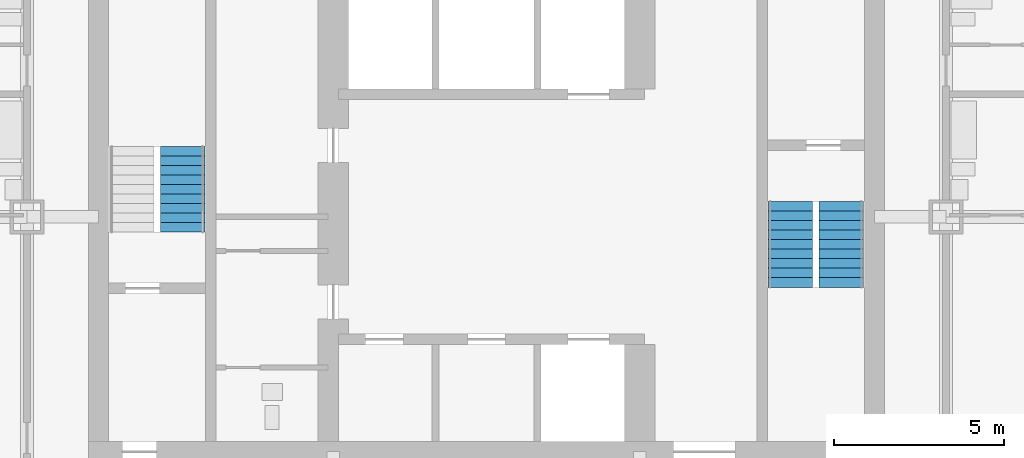
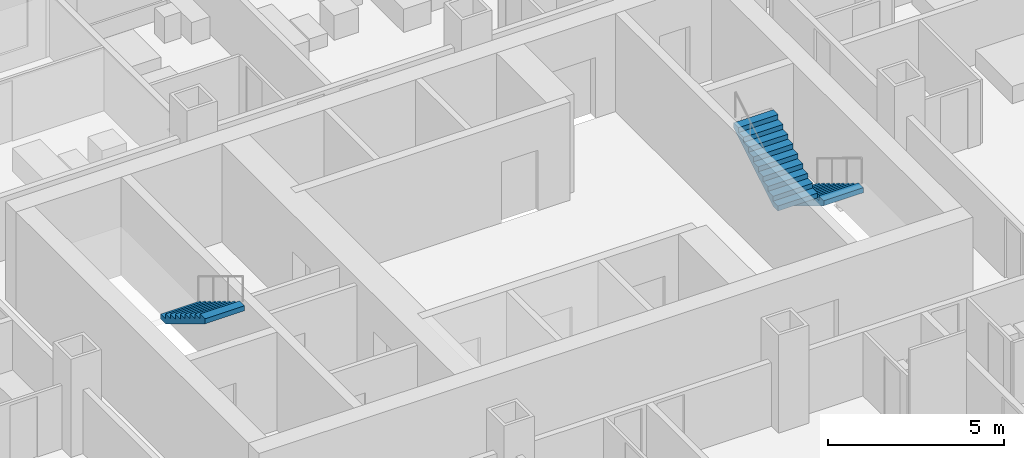
# One storey, part 14 of 17: 3 stair flights, 2 elements without a shape of their own.
"""IFC4 building model written with IfcOpenShell, lengths in metres."""

import ifcopenshell
import ifcopenshell.guid

model = None  # the IFC model being written
_history = None  # IfcOwnerHistory: only IFC2X3 demands one
_inside = {}  # id of a spatial element -> (the spatial element, [elements in it])
_under = {}  # id of a project, library or spatial element -> (it, [spatial elements below it])
_declared = {}  # id of a project -> (the project, [libraries it declares])
_typed = {}  # id of a type object -> (the type object, [elements of that type])
_made_of = {}  # id of a material, layer set ... -> (it, [elements and type objects made of it])


def new_model(schema):
    """Start an empty IFC model of exactly this schema.

    Asked for "IFC4X3", IfcOpenShell would pick the latest addendum, in which some entities
    have other attributes; the version numbers below select the first issue.
    IFC2X3 requires an IfcOwnerHistory on every rooted entity: one is made here for all.
    """
    global model, _history
    if schema == "IFC4X3":
        model = ifcopenshell.file(schema_version=(4, 3, 0, 0))
    else:
        model = ifcopenshell.file(schema=schema)
    _inside.clear()
    _under.clear()
    _declared.clear()
    _typed.clear()
    _made_of.clear()
    _history = None
    if model.schema == "IFC2X3":
        org = make("IfcOrganization", Name="unknown")
        user = make(
            "IfcPersonAndOrganization",
            ThePerson=make("IfcPerson", FamilyName="unknown"),
            TheOrganization=org,
        )
        app = make(
            "IfcApplication",
            ApplicationDeveloper=org,
            Version="unknown",
            ApplicationFullName="unknown",
            ApplicationIdentifier="unknown",
        )
        _history = make(
            "IfcOwnerHistory",
            OwningUser=user,
            OwningApplication=app,
            ChangeAction="ADDED",
            CreationDate=0,
        )
    return model


def make(cls, **values):
    """One entity of the class cls with the attributes given. An attribute that is None is left unset."""
    return model.create_entity(
        cls, **{name: value for name, value in values.items() if value is not None}
    )


def rooted(cls, **values):
    """An entity with a GlobalId (a new one), such as an element, a storey or a relation."""
    return make(cls, GlobalId=ifcopenshell.guid.new(), OwnerHistory=_history, **values)


def si_unit(unit_type, name, prefix=None):
    """IfcSIUnit, for example si_unit("LENGTHUNIT", "METRE", prefix="MILLI")."""
    return make("IfcSIUnit", UnitType=unit_type, Prefix=prefix, Name=name)


def assignment(units):
    """IfcUnitAssignment: the units of a project."""
    return None if units is None else make("IfcUnitAssignment", Units=units)


def point(xyz):
    """IfcCartesianPoint."""
    return None if xyz is None else make("IfcCartesianPoint", Coordinates=xyz)


def direction(xyz):
    """IfcDirection."""
    return None if xyz is None else make("IfcDirection", DirectionRatios=xyz)


def frame(location, z_axis=None, x_axis=None):
    """IfcAxis2Placement3D, a coordinate frame: its origin and axes. An axis left out is left unset."""
    return make(
        "IfcAxis2Placement3D",
        Location=point(location),
        Axis=direction(z_axis),
        RefDirection=direction(x_axis),
    )


def origin():
    """The frame at (0, 0, 0) with its axes left unset."""
    return frame((0.0, 0.0, 0.0))


def place(relative_to, where):
    """IfcLocalPlacement: puts the frame where relative to a parent placement (None: the world)."""
    return make(
        "IfcLocalPlacement", PlacementRelTo=relative_to, RelativePlacement=where
    )


def context(
    kind, dimensions, precision=None, world=None, true_north=None, identifier=None
):
    """IfcGeometricRepresentationContext, for example the 3D "Model" context."""
    return make(
        "IfcGeometricRepresentationContext",
        ContextIdentifier=identifier,
        ContextType=kind,
        CoordinateSpaceDimension=dimensions,
        Precision=precision,
        WorldCoordinateSystem=world,
        TrueNorth=true_north,
    )


def subcontext(parent, identifier, kind, view, scale=None):
    """IfcGeometricRepresentationSubContext, for example "Body" below "Model"."""
    return make(
        "IfcGeometricRepresentationSubContext",
        ContextIdentifier=identifier,
        ContextType=kind,
        ParentContext=parent,
        TargetScale=scale,
        TargetView=view,
    )


def project(units=None, contexts=None):
    """IfcProject with its units and contexts."""
    return rooted(
        "IfcProject",
        Name="project",
        RepresentationContexts=contexts,
        UnitsInContext=assignment(units),
    )


def spatial(cls, under=None, at=None, **own):
    """A site, building, storey or space (cls), placed at a placement, below another one or the project."""
    s = rooted(cls, ObjectPlacement=at, **own)
    if under is not None:
        _under.setdefault(under.id(), (under, []))[1].append(s)
    return s


def polyline(points):
    """IfcPolyline through the points."""
    return make("IfcPolyline", Points=[point(p) for p in points])


def outline(outer, holes=None, kind="AREA"):
    """IfcArbitraryClosedProfileDef: a profile drawn as a closed curve; with holes, ...WithVoids."""
    if holes is None:
        return make("IfcArbitraryClosedProfileDef", ProfileType=kind, OuterCurve=outer)
    return make(
        "IfcArbitraryProfileDefWithVoids",
        ProfileType=kind,
        OuterCurve=outer,
        InnerCurves=holes,
    )


def extrude(swept, where, along, depth):
    """IfcExtrudedAreaSolid: the profile swept, set in the frame where, extruded along a direction by depth."""
    return make(
        "IfcExtrudedAreaSolid",
        SweptArea=swept,
        Position=where,
        ExtrudedDirection=direction(along),
        Depth=depth,
    )


def shape(context_of_items, identifier, shape_type, items):
    """IfcShapeRepresentation: the items that make up one representation, for example the "Body"."""
    return make(
        "IfcShapeRepresentation",
        ContextOfItems=context_of_items,
        RepresentationIdentifier=identifier,
        RepresentationType=shape_type,
        Items=items,
    )


def material(Name=None, Category=None):
    """IfcMaterial."""
    return make("IfcMaterial", Name=Name, Category=Category)


def made_of(thing, what):
    """Note that an element or type object is made of a material, layer set ...; save() writes the relation."""
    if what is not None:
        _made_of.setdefault(what.id(), (what, []))[1].append(thing)
    return thing


def type_object(cls, material=None, **own):
    """A type object (cls), such as IfcWallType, which elements share."""
    return made_of(rooted(cls, **own), material)


def element(
    cls,
    number,
    at=None,
    inside=None,
    cuts=None,
    type_object=None,
    material=None,
    context=None,
    identifier="Body",
    shape_type=None,
    held_by="IfcProductDefinitionShape",
    body=None,
    shapes=None,
    **own,
):
    """One element of the class cls, such as IfcWall. Its Tag is "e" and its number.

    at: its placement. inside: the storey or other place that contains it. cuts: it is an
    opening in that element (IfcRelVoidsElement). A single representation is given by context,
    identifier, shape_type and body (its items); several are given by shapes. held_by: the class
    of the entity that holds the representations. save() writes the other relations.
    """
    e = rooted(cls, Tag="e%d" % number, ObjectPlacement=at, **own)
    if body is not None:
        shapes = [shape(context, identifier, shape_type, body)]
    if shapes is not None:
        e.Representation = make(held_by, Representations=shapes)
    if inside is not None:
        _inside.setdefault(inside.id(), (inside, []))[1].append(e)
    if cuts is not None:
        rooted(
            "IfcRelVoidsElement", RelatingBuildingElement=cuts, RelatedOpeningElement=e
        )
    if type_object is not None:
        _typed.setdefault(type_object.id(), (type_object, []))[1].append(e)
    return made_of(e, material)


def aggregate(whole, parts):
    """IfcRelAggregates: a whole, such as a stair, and the parts it consists of."""
    return rooted("IfcRelAggregates", RelatingObject=whole, RelatedObjects=parts)


def save(model, path):
    """Write the relations noted so far, then the file.

    IfcRelAggregates (storeys below a building ...), IfcRelContainedInSpatialStructure (elements
    in a storey), IfcRelDefinesByType, IfcRelAssociatesMaterial and IfcRelDeclares: one each for
    every whole, place, type object, material and project.
    """
    for whole, parts in _under.values():
        aggregate(whole, parts)
    for where, things in _inside.values():
        rooted(
            "IfcRelContainedInSpatialStructure",
            RelatedElements=things,
            RelatingStructure=where,
        )
    for kind, things in _typed.values():
        rooted("IfcRelDefinesByType", RelatedObjects=things, RelatingType=kind)
    for what, things in _made_of.values():
        rooted("IfcRelAssociatesMaterial", RelatedObjects=things, RelatingMaterial=what)
    for by, libraries in _declared.values():
        rooted("IfcRelDeclares", RelatingContext=by, RelatedDefinitions=libraries)
    model.write(path)


model = new_model("IFC4")

# Units and contexts
model_context = context("Model", 3, precision=1e-05, world=origin(), true_north=direction((0.0, 1.0)))
body_context = subcontext(model_context, "Body", "Model", "MODEL_VIEW")
ifc_project = project(units=[si_unit("LENGTHUNIT", "METRE"), si_unit("AREAUNIT", "SQUARE_METRE"), si_unit("VOLUMEUNIT", "CUBIC_METRE"), si_unit("PLANEANGLEUNIT", "RADIAN"), si_unit("MASSUNIT", "GRAM", prefix="KILO")], contexts=[model_context])

# Site, building, storey
site_placement = place(None, origin())
site = spatial("IfcSite", under=ifc_project, at=site_placement, CompositionType="ELEMENT")
building_placement = place(site_placement, origin())
building = spatial("IfcBuilding", under=site, at=building_placement, Name="Loomwork Tower", CompositionType="ELEMENT")
storey_placement = place(building_placement, frame((0.0, 0.0, 152.0)))
storey = spatial("IfcBuildingStorey", under=building, at=storey_placement, Name="L41", CompositionType="ELEMENT", Elevation=152.0)

# Stair, stair flight
ifc_material_1 = material(Name="Concrete 5000 psi (34 MPa) precast stair", Category="concrete")
stair_type_1 = type_object("IfcStairType", Name="Stair ST-A 20 risers 2850 wide", PredefinedType="HALF_TURN_STAIR", material=ifc_material_1)
stair_1_placement = place(storey_placement, origin())
stair_1 = element("IfcStair", 1, at=stair_1_placement, inside=storey, type_object=stair_type_1, Name="Stair A L41", PredefinedType="HALF_TURN_STAIR")
ifc_material_2 = material(Name="Concrete 5000 psi (34 MPa) precast stair", Category="concrete")
stair_flight_type_1 = type_object("IfcStairFlightType", Name="Stair flight ST-A 10 risers 1300 wide", PredefinedType="STRAIGHT", material=ifc_material_2)
stair_flight_1_placement = place(storey_placement, frame((13.574951171875, 20.070068359375, 1.699951171875), z_axis=(0.0, 0.0, 1.0), x_axis=(0.0, -1.0, 0.0)))
stair_flight_1 = element("IfcStairFlight", 2, at=stair_flight_1_placement, type_object=stair_flight_type_1, Name="ST-A flight 2", NumberOfRisers=10, NumberOfTreads=9, PredefinedType="STRAIGHT", RiserHeight=0.17, TreadLength=0.28, context=body_context, shape_type="SweptSolid", body=[
    extrude(outline(polyline([(0.0, 0.0), (0.0, 0.169921875), (0.280029296875, 0.169921875), (0.280029296875, 0.340087890625), (0.56005859375, 0.340087890625), (0.56005859375, 0.510009765625), (0.840087890625, 0.510009765625), (0.840087890625, 0.679931640625), (1.1201171875, 0.679931640625), (1.1201171875, 0.85009765625), (1.39990234375, 0.85009765625), (1.39990234375, 1.02001953125), (1.679931640625, 1.02001953125), (1.679931640625, 1.18994140625), (1.9599609375, 1.18994140625), (1.9599609375, 1.360107421875), (2.239990234375, 1.360107421875), (2.239990234375, 1.530029296875), (2.52001953125, 1.530029296875), (2.52001953125, 1.699951171875), (2.52001953125, 1.354736328125), (0.288818359375, 0.0), (0.0, 0.0)])), frame((0.0, 0.64990234375, 0.0), z_axis=(0.0, -1.0, 0.0), x_axis=(1.0, 0.0, 0.0)), (0.0, 0.0, 1.0), 1.300048828125),
])
aggregate(stair_1, [stair_flight_1])

# Stair, stair flights
ifc_material_3 = material(Name="Concrete 5000 psi (34 MPa) precast stair", Category="concrete")
stair_type_2 = type_object("IfcStairType", Name="Stair ST-B 20 risers 2850 wide", PredefinedType="HALF_TURN_STAIR", material=ifc_material_3)
stair_2_placement = place(storey_placement, origin())
stair_2 = element("IfcStair", 3, at=stair_2_placement, inside=storey, type_object=stair_type_2, Name="Stair B L41", PredefinedType="HALF_TURN_STAIR")
ifc_material_4 = material(Name="Concrete 5000 psi (34 MPa) precast stair", Category="concrete")
stair_flight_type_2 = type_object("IfcStairFlightType", Name="Stair flight ST-B 10 risers 1300 wide", PredefinedType="STRAIGHT", material=ifc_material_4)
stair_flight_2_placement = place(storey_placement, frame((32.925048828125, 18.449951171875, 0.0), z_axis=(0.0, 0.0, 1.0), x_axis=(0.0, -1.0, 0.0)))
stair_flight_2 = element("IfcStairFlight", 4, at=stair_flight_2_placement, type_object=stair_flight_type_2, Name="ST-B flight 1", NumberOfRisers=10, NumberOfTreads=9, PredefinedType="STRAIGHT", RiserHeight=0.17, TreadLength=0.28, context=body_context, shape_type="SweptSolid", body=[
    extrude(outline(polyline([(0.0, 0.0), (0.0, 0.169921875), (0.280029296875, 0.169921875), (0.280029296875, 0.340087890625), (0.56005859375, 0.340087890625), (0.56005859375, 0.510009765625), (0.840087890625, 0.510009765625), (0.840087890625, 0.679931640625), (1.1201171875, 0.679931640625), (1.1201171875, 0.85009765625), (1.39990234375, 0.85009765625), (1.39990234375, 1.02001953125), (1.679931640625, 1.02001953125), (1.679931640625, 1.18994140625), (1.9599609375, 1.18994140625), (1.9599609375, 1.360107421875), (2.239990234375, 1.360107421875), (2.239990234375, 1.530029296875), (2.52001953125, 1.530029296875), (2.52001953125, 1.699951171875), (2.52001953125, 1.354736328125), (0.288818359375, 0.0), (0.0, 0.0)])), frame((0.0, 0.64990234375, 0.0), z_axis=(0.0, -1.0, 0.0), x_axis=(1.0, 0.0, 0.0)), (0.0, 0.0, 1.0), 1.300048828125),
])
stair_flight_3_placement = place(storey_placement, frame((31.425048828125, 15.929931640625, 1.699951171875), z_axis=(0.0, 0.0, 1.0), x_axis=(0.0, 1.0, 0.0)))
stair_flight_3 = element("IfcStairFlight", 5, at=stair_flight_3_placement, type_object=stair_flight_type_2, Name="ST-B flight 2", NumberOfRisers=10, NumberOfTreads=9, PredefinedType="STRAIGHT", RiserHeight=0.17, TreadLength=0.28, context=body_context, shape_type="SweptSolid", body=[
    extrude(outline(polyline([(0.0, 0.0), (0.0, 0.169921875), (0.280029296875, 0.169921875), (0.280029296875, 0.340087890625), (0.56005859375, 0.340087890625), (0.56005859375, 0.510009765625), (0.840087890625, 0.510009765625), (0.840087890625, 0.679931640625), (1.1201171875, 0.679931640625), (1.1201171875, 0.85009765625), (1.39990234375, 0.85009765625), (1.39990234375, 1.02001953125), (1.679931640625, 1.02001953125), (1.679931640625, 1.18994140625), (1.9599609375, 1.18994140625), (1.9599609375, 1.360107421875), (2.239990234375, 1.360107421875), (2.239990234375, 1.530029296875), (2.52001953125, 1.530029296875), (2.52001953125, 1.699951171875), (2.52001953125, 1.354736328125), (0.288818359375, 0.0), (0.0, 0.0)])), frame((0.0, 0.64990234375, 0.0), z_axis=(0.0, -1.0, 0.0), x_axis=(1.0, 0.0, 0.0)), (0.0, 0.0, 1.0), 1.300048828125),
])
aggregate(stair_2, [stair_flight_2, stair_flight_3])

save(model, "model.ifc")
